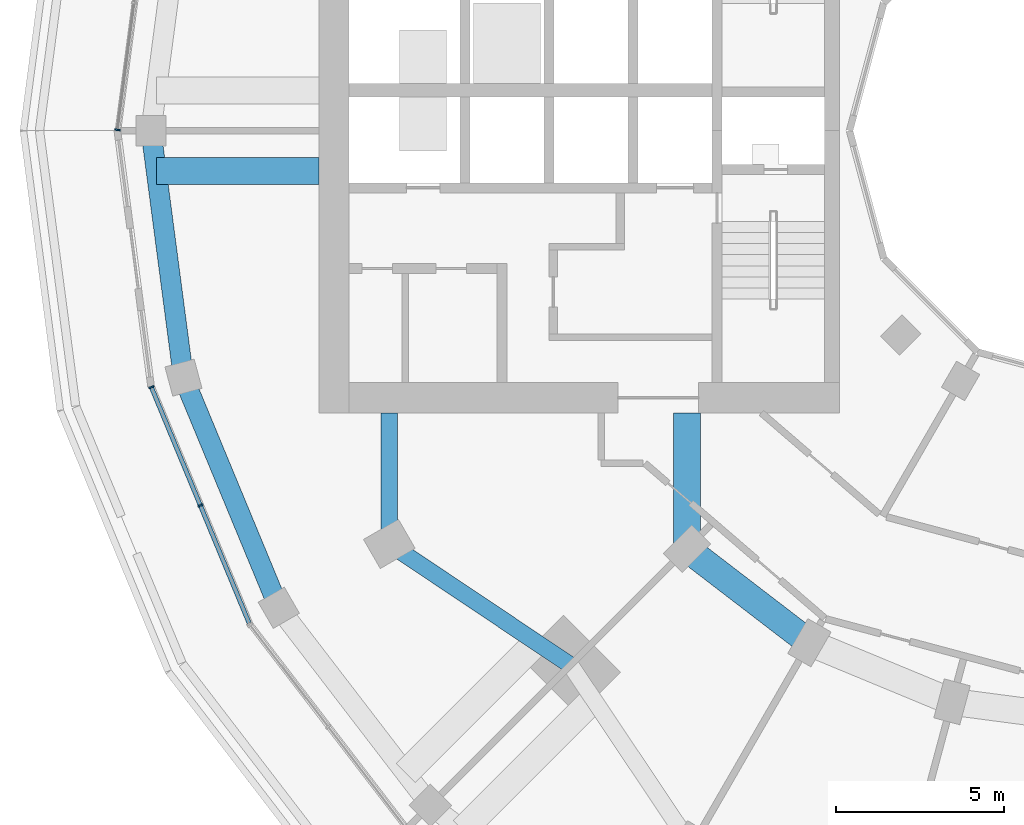
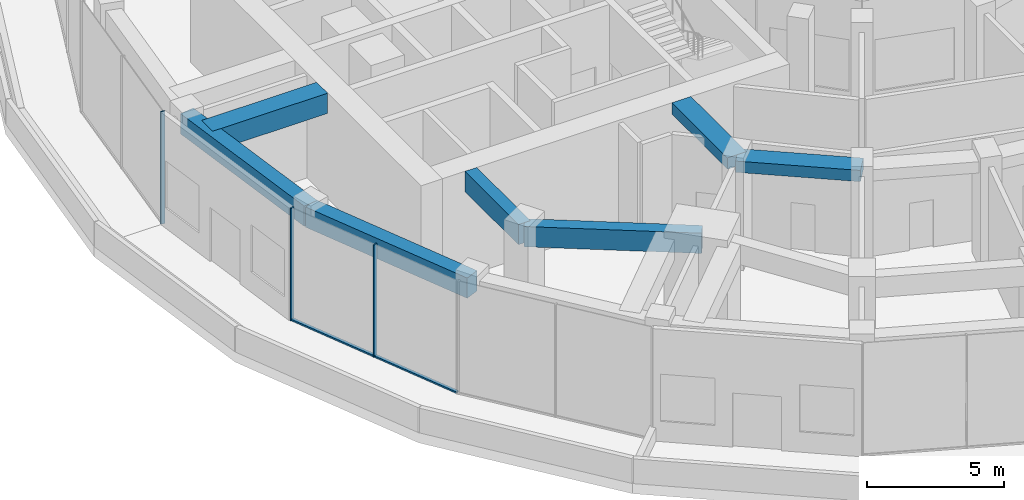
# One storey, part 3 of 19: 7 beams, 5 members, 2 elements without a shape of their own.
"""IFC4 building model written with IfcOpenShell, lengths in metres."""

from ifc_helpers import new_model, si_unit, direction, frame, origin, origin_2d, place, context, subcontext, project, spatial, rectangle, extrude, material, layer, layer_set, material_profile, profile_set, type_object, element, aggregate, save


model = new_model("IFC4")

# Units and contexts
model_context = context("Model", 3, precision=1e-05, world=origin(), true_north=direction((0.0, 1.0)))
body_context = subcontext(model_context, "Body", "Model", "MODEL_VIEW")
ifc_project = project(units=[si_unit("LENGTHUNIT", "METRE"), si_unit("AREAUNIT", "SQUARE_METRE"), si_unit("VOLUMEUNIT", "CUBIC_METRE"), si_unit("PLANEANGLEUNIT", "RADIAN"), si_unit("MASSUNIT", "GRAM", prefix="KILO")], contexts=[model_context])

# Site, building, storey
site_placement = place(None, origin())
site = spatial("IfcSite", under=ifc_project, at=site_placement, CompositionType="ELEMENT")
building_placement = place(site_placement, origin())
building = spatial("IfcBuilding", under=site, at=building_placement, Name="Torre Brocal", CompositionType="ELEMENT")
storey_placement = place(building_placement, frame((0.0, 0.0, 23.800048828125)))
storey = spatial("IfcBuildingStorey", under=building, at=storey_placement, Name="L04", CompositionType="ELEMENT", Elevation=23.800048828125)

# Curtain wall, member
ifc_material_1 = material(Name="Aluminium and glass", Category="aluminium")
ifc_layer = layer(ifc_material_1, 0.199951171875)
ifc_layer_set = layer_set([ifc_layer], Name="Aluminium and glass")
curtain_wall_type = type_object("IfcCurtainWallType", Name="CW-6 CURTAIN WALL 5000 HIGH", PredefinedType="NOTDEFINED", material=ifc_layer_set)
curtain_wall_1_placement = place(storey_placement, origin())
curtain_wall_1 = element("IfcCurtainWall", 1, at=curtain_wall_1_placement, inside=storey, type_object=curtain_wall_type, Name="CW-6 RUN 12", PredefinedType="NOTDEFINED")
ifc_material_2 = material(Name="Aluminium, dark anodised", Category="aluminium")
ifc_material_profile_1 = material_profile(ifc_material_2, rectangle(XDim=0.159912109375, YDim=0.050048828125, at=origin_2d()), Name="CW-6 MULLION 50X160")
ifc_profile_set_1 = profile_set([ifc_material_profile_1], Name="Aluminium, dark anodised")
member_type_1 = type_object("IfcMemberType", Name="CW-6 MULLION 50X160", PredefinedType="MULLION", material=ifc_profile_set_1)
member_1_placement = place(storey_placement, frame((50.604248046875, 75.02490234375, 0.0), z_axis=(0.0, 0.0, 1.0), x_axis=(0.991444861367, -0.130526192272, 0.0)))
member_1 = element("IfcMember", 2, at=member_1_placement, type_object=member_type_1, Name="CW6-3 mullion 3", PredefinedType="MULLION", context=body_context, shape_type="SweptSolid", body=[
    extrude(rectangle(XDim=0.159912109375, YDim=0.050048828125, at=origin_2d()), origin(), (0.0, 0.0, 1.0), 5.0),
])
aggregate(curtain_wall_1, [member_1])

# Curtain wall, members
curtain_wall_2_placement = place(storey_placement, origin())
curtain_wall_2 = element("IfcCurtainWall", 3, at=curtain_wall_2_placement, inside=storey, type_object=curtain_wall_type, Name="CW-6 RUN 14", PredefinedType="NOTDEFINED")
member_2_placement = place(storey_placement, frame((51.612060546875, 67.367919921875, 0.0), z_axis=(0.0, 0.0, 1.0), x_axis=(0.923879532511, 0.382683432365, 0.0)))
member_2 = element("IfcMember", 4, at=member_2_placement, type_object=member_type_1, Name="CW6-3 mullion 1", PredefinedType="MULLION", context=body_context, shape_type="SweptSolid", body=[
    extrude(rectangle(XDim=0.159912109375, YDim=0.050048828125, at=origin_2d()), origin(), (0.0, 0.0, 1.0), 5.0),
])
member_3_placement = place(storey_placement, frame((53.071044921875, 63.845703125, 0.0), z_axis=(0.0, 0.0, 1.0), x_axis=(0.923879532511, 0.382683432365, 0.0)))
member_3 = element("IfcMember", 5, at=member_3_placement, type_object=member_type_1, Name="CW6-3 mullion 2", PredefinedType="MULLION", context=body_context, shape_type="SweptSolid", body=[
    extrude(rectangle(XDim=0.159912109375, YDim=0.050048828125, at=origin_2d()), origin(), (0.0, 0.0, 1.0), 5.0),
])
ifc_material_3 = material(Name="Aluminium, dark anodised", Category="aluminium")
ifc_material_profile_2 = material_profile(ifc_material_3, rectangle(XDim=0.1298828125, YDim=0.070068359375, at=origin_2d()), Name="CW-6 TRANSOM 130X70")
ifc_profile_set_2 = profile_set([ifc_material_profile_2], Name="Aluminium, dark anodised")
member_type_2 = type_object("IfcMemberType", Name="CW-6 TRANSOM 130X70", PredefinedType="USERDEFINED", material=ifc_profile_set_2)
member_4_placement = place(storey_placement, frame((51.621826171875, 67.3447265625, 0.034912109375), z_axis=(0.382674653767, -0.923883168677, 0.0), x_axis=(0.923883168677, 0.382674653767, 0.0)))
member_4 = element("IfcMember", 6, at=member_4_placement, type_object=member_type_2, Name="CW6-3 transom 1.1", ObjectType="TRANSOM", PredefinedType="USERDEFINED", context=body_context, shape_type="SweptSolid", body=[
    extrude(rectangle(XDim=0.1298828125, YDim=0.070068359375, at=origin_2d()), origin(), (0.0, 0.0, 1.0), 3.76220703125),
])
member_5_placement = place(storey_placement, frame((53.08056640625, 63.822509765625, 0.034912109375), z_axis=(0.382730041872, -0.923860224844, 0.0), x_axis=(0.923860224844, 0.382730041872, 0.0)))
member_5 = element("IfcMember", 7, at=member_5_placement, type_object=member_type_2, Name="CW6-3 transom 2.1", ObjectType="TRANSOM", PredefinedType="USERDEFINED", context=body_context, shape_type="SweptSolid", body=[
    extrude(rectangle(XDim=0.1298828125, YDim=0.070068359375, at=origin_2d()), origin(), (0.0, 0.0, 1.0), 3.76220703125),
])
aggregate(curtain_wall_2, [member_2, member_3, member_4, member_5])

# Beams
ifc_material_4 = material(Name="Concrete C50", Category="concrete")
ifc_material_profile_3 = material_profile(ifc_material_4, rectangle(XDim=0.60009765625, YDim=0.89990234375, at=origin_2d()), Name="RC 600X900")
ifc_profile_set_3 = profile_set([ifc_material_profile_3], Name="Concrete C50")
beam_type_1 = type_object("IfcBeamType", Name="RC BEAM 600X900 C50 TOP 4680", PredefinedType="BEAM", material=ifc_profile_set_3)
beam_1_placement = place(storey_placement, frame((51.60009765625, 75.0, 4.22998046875), z_axis=(0.130504771669, -0.991447681208, 0.0), x_axis=(0.991447681208, 0.130504771669, 0.0)))
element("IfcBeam", 8, at=beam_1_placement, inside=storey, type_object=beam_type_1, Name="Beam BT-16", PredefinedType="BEAM", context=body_context, shape_type="SweptSolid", body=[
    extrude(rectangle(XDim=0.60009765625, YDim=0.89990234375, at=origin_2d()), origin(), (0.0, 0.0, 1.0), 7.413818359375),
])
beam_2_placement = place(storey_placement, frame((52.567626953125, 67.649658203125, 4.22998046875), z_axis=(0.382678493716, -0.923881578151, 0.0), x_axis=(0.923881578151, 0.382678493716, 0.0)))
element("IfcBeam", 9, at=beam_2_placement, inside=storey, type_object=beam_type_1, Name="Beam BT-16", PredefinedType="BEAM", context=body_context, shape_type="SweptSolid", body=[
    extrude(rectangle(XDim=0.60009765625, YDim=0.89990234375, at=origin_2d()), origin(), (0.0, 0.0, 1.0), 7.4140625),
])
ifc_material_5 = material(Name="Concrete C50", Category="concrete")
ifc_material_profile_4 = material_profile(ifc_material_5, rectangle(XDim=0.800048828125, YDim=0.5, at=origin_2d()), Name="RC 800X500")
ifc_profile_set_4 = profile_set([ifc_material_profile_4], Name="Concrete C50")
beam_type_2 = type_object("IfcBeamType", Name="RC BEAM 800X500 C50 TOP 4680", PredefinedType="BEAM", material=ifc_profile_set_4)
beam_3_placement = place(storey_placement, frame((67.554931640625, 62.554931640625, 4.429931640625), z_axis=(0.0, 1.0, 0.0), x_axis=(-1.0, 0.0, 0.0)))
element("IfcBeam", 10, at=beam_3_placement, inside=storey, type_object=beam_type_2, Name="Beam BT-17", PredefinedType="BEAM", context=body_context, shape_type="SweptSolid", body=[
    extrude(rectangle(XDim=0.800048828125, YDim=0.5, at=origin_2d()), origin(), (0.0, 0.0, 1.0), 4.045166015625),
])
beam_4_placement = place(storey_placement, frame((67.554931640625, 62.554931640625, 4.429931640625), z_axis=(0.793358265959, -0.6087550097, 0.0), x_axis=(0.6087550097, 0.793358265959, 0.0)))
element("IfcBeam", 11, at=beam_4_placement, inside=storey, type_object=beam_type_2, Name="Beam BT-17", PredefinedType="BEAM", context=body_context, shape_type="SweptSolid", body=[
    extrude(rectangle(XDim=0.800048828125, YDim=0.5, at=origin_2d()), origin(), (0.0, 0.0, 1.0), 4.594482421875),
])
ifc_material_6 = material(Name="Concrete C50", Category="concrete")
ifc_material_profile_5 = material_profile(ifc_material_6, rectangle(XDim=0.800048828125, YDim=0.89990234375, at=origin_2d()), Name="RC 800X900")
ifc_profile_set_5 = profile_set([ifc_material_profile_5], Name="Concrete C50")
beam_type_3 = type_object("IfcBeamType", Name="RC BEAM 800X900 C50 TOP 4680", PredefinedType="BEAM", material=ifc_profile_set_5)
beam_5_placement = place(storey_placement, frame((56.60009765625, 73.800048828125, 4.22998046875), z_axis=(-1.0, 0.0, 0.0), x_axis=(0.0, -1.0, 0.0)))
element("IfcBeam", 12, at=beam_5_placement, inside=storey, type_object=beam_type_3, Name="Beam BT-54", PredefinedType="BEAM", context=body_context, shape_type="SweptSolid", body=[
    extrude(rectangle(XDim=0.800048828125, YDim=0.89990234375, at=origin_2d()), origin(), (0.0, 0.0, 1.0), 4.842041015625),
])
ifc_material_7 = material(Name="Concrete C50", Category="concrete")
ifc_material_profile_6 = material_profile(ifc_material_7, rectangle(XDim=0.5, YDim=0.89990234375, at=origin_2d()), Name="RC 500X900")
ifc_profile_set_6 = profile_set([ifc_material_profile_6], Name="Concrete C50")
beam_type_4 = type_object("IfcBeamType", Name="RC SPANDREL BEAM 500X900 C50 TOP 4680", PredefinedType="SPANDREL", material=ifc_profile_set_6)
beam_6_placement = place(storey_placement, frame((58.69580078125, 62.699951171875, 4.22998046875), z_axis=(0.0, 1.0, 0.0), x_axis=(-1.0, 0.0, 0.0)))
element("IfcBeam", 13, at=beam_6_placement, inside=storey, type_object=beam_type_4, Name="Beam BT-18", PredefinedType="SPANDREL", context=body_context, shape_type="SweptSolid", body=[
    extrude(rectangle(XDim=0.5, YDim=0.89990234375, at=origin_2d()), origin(), (0.0, 0.0, 1.0), 3.900146484375),
])
beam_7_placement = place(storey_placement, frame((58.69580078125, 62.699951171875, 4.22998046875), z_axis=(0.831076844476, -0.556157602282, 0.0), x_axis=(0.556157602282, 0.831076844476, 0.0)))
element("IfcBeam", 14, at=beam_7_placement, inside=storey, type_object=beam_type_4, Name="Beam BT-18", PredefinedType="SPANDREL", context=body_context, shape_type="SweptSolid", body=[
    extrude(rectangle(XDim=0.5, YDim=0.89990234375, at=origin_2d()), origin(), (0.0, 0.0, 1.0), 6.49072265625),
])

save(model, "model.ifc")
